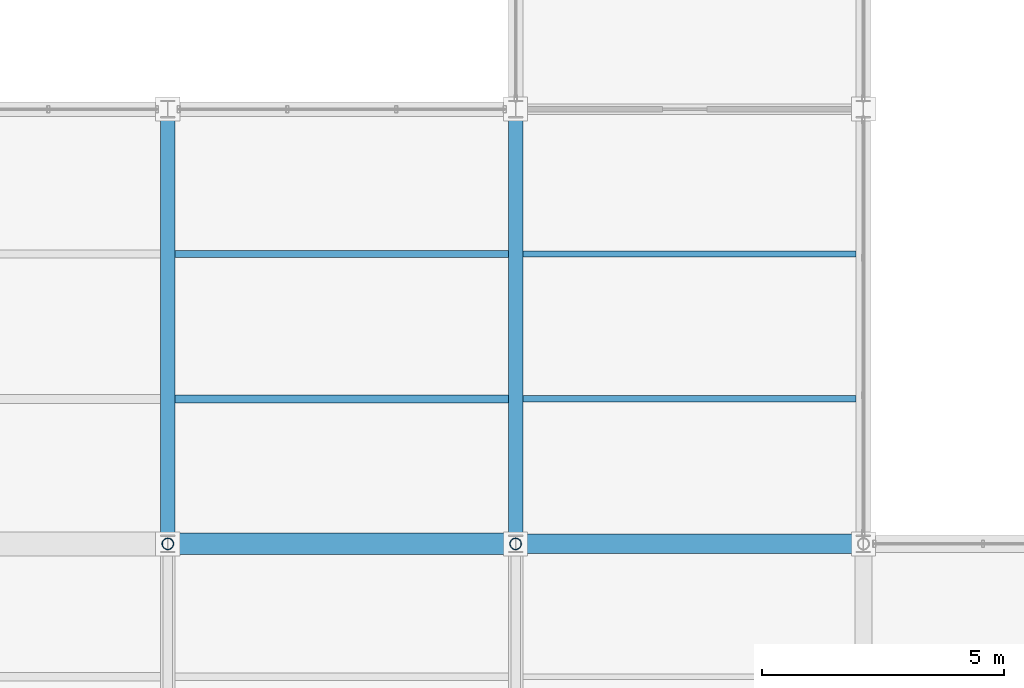
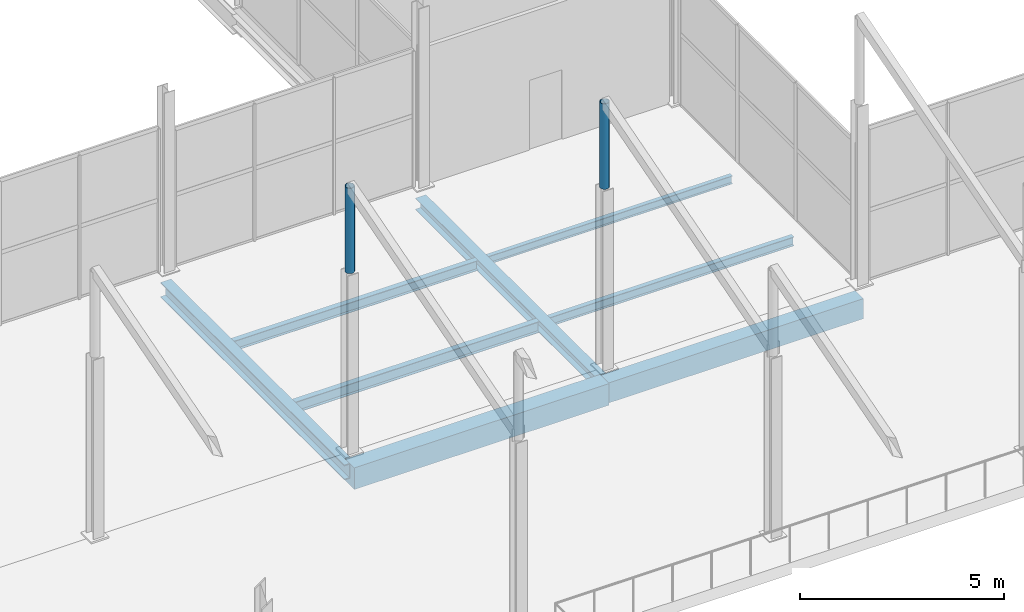
# One storey, part 73 of 141: 8 beams, 2 members.
"""IFC4 building model written with IfcOpenShell, lengths in metres."""

import ifcopenshell
import ifcopenshell.guid

model = None  # the IFC model being written
_history = None  # IfcOwnerHistory: only IFC2X3 demands one
_inside = {}  # id of a spatial element -> (the spatial element, [elements in it])
_under = {}  # id of a project, library or spatial element -> (it, [spatial elements below it])
_declared = {}  # id of a project -> (the project, [libraries it declares])
_typed = {}  # id of a type object -> (the type object, [elements of that type])
_made_of = {}  # id of a material, layer set ... -> (it, [elements and type objects made of it])


def new_model(schema):
    """Start an empty IFC model of exactly this schema.

    Asked for "IFC4X3", IfcOpenShell would pick the latest addendum, in which some entities
    have other attributes; the version numbers below select the first issue.
    IFC2X3 requires an IfcOwnerHistory on every rooted entity: one is made here for all.
    """
    global model, _history
    if schema == "IFC4X3":
        model = ifcopenshell.file(schema_version=(4, 3, 0, 0))
    else:
        model = ifcopenshell.file(schema=schema)
    _inside.clear()
    _under.clear()
    _declared.clear()
    _typed.clear()
    _made_of.clear()
    _history = None
    if model.schema == "IFC2X3":
        org = make("IfcOrganization", Name="unknown")
        user = make(
            "IfcPersonAndOrganization",
            ThePerson=make("IfcPerson", FamilyName="unknown"),
            TheOrganization=org,
        )
        app = make(
            "IfcApplication",
            ApplicationDeveloper=org,
            Version="unknown",
            ApplicationFullName="unknown",
            ApplicationIdentifier="unknown",
        )
        _history = make(
            "IfcOwnerHistory",
            OwningUser=user,
            OwningApplication=app,
            ChangeAction="ADDED",
            CreationDate=0,
        )
    return model


def make(cls, **values):
    """One entity of the class cls with the attributes given. An attribute that is None is left unset."""
    return model.create_entity(
        cls, **{name: value for name, value in values.items() if value is not None}
    )


def rooted(cls, **values):
    """An entity with a GlobalId (a new one), such as an element, a storey or a relation."""
    return make(cls, GlobalId=ifcopenshell.guid.new(), OwnerHistory=_history, **values)


def si_unit(unit_type, name, prefix=None):
    """IfcSIUnit, for example si_unit("LENGTHUNIT", "METRE", prefix="MILLI")."""
    return make("IfcSIUnit", UnitType=unit_type, Prefix=prefix, Name=name)


def assignment(units):
    """IfcUnitAssignment: the units of a project."""
    return None if units is None else make("IfcUnitAssignment", Units=units)


def point(xyz):
    """IfcCartesianPoint."""
    return None if xyz is None else make("IfcCartesianPoint", Coordinates=xyz)


def direction(xyz):
    """IfcDirection."""
    return None if xyz is None else make("IfcDirection", DirectionRatios=xyz)


def frame(location, z_axis=None, x_axis=None):
    """IfcAxis2Placement3D, a coordinate frame: its origin and axes. An axis left out is left unset."""
    return make(
        "IfcAxis2Placement3D",
        Location=point(location),
        Axis=direction(z_axis),
        RefDirection=direction(x_axis),
    )


def frame_2d(location, x_axis=None):
    """IfcAxis2Placement2D, a coordinate frame in the plane: its origin and x axis."""
    return make(
        "IfcAxis2Placement2D", Location=point(location), RefDirection=direction(x_axis)
    )


def origin():
    """The frame at (0, 0, 0) with its axes left unset."""
    return frame((0.0, 0.0, 0.0))


def origin_2d():
    """The frame at (0, 0) in the plane with its x axis left unset."""
    return frame_2d((0.0, 0.0))


def place(relative_to, where):
    """IfcLocalPlacement: puts the frame where relative to a parent placement (None: the world)."""
    return make(
        "IfcLocalPlacement", PlacementRelTo=relative_to, RelativePlacement=where
    )


def context(
    kind, dimensions, precision=None, world=None, true_north=None, identifier=None
):
    """IfcGeometricRepresentationContext, for example the 3D "Model" context."""
    return make(
        "IfcGeometricRepresentationContext",
        ContextIdentifier=identifier,
        ContextType=kind,
        CoordinateSpaceDimension=dimensions,
        Precision=precision,
        WorldCoordinateSystem=world,
        TrueNorth=true_north,
    )


def subcontext(parent, identifier, kind, view, scale=None):
    """IfcGeometricRepresentationSubContext, for example "Body" below "Model"."""
    return make(
        "IfcGeometricRepresentationSubContext",
        ContextIdentifier=identifier,
        ContextType=kind,
        ParentContext=parent,
        TargetScale=scale,
        TargetView=view,
    )


def project(units=None, contexts=None):
    """IfcProject with its units and contexts."""
    return rooted(
        "IfcProject",
        Name="project",
        RepresentationContexts=contexts,
        UnitsInContext=assignment(units),
    )


def spatial(cls, under=None, at=None, **own):
    """A site, building, storey or space (cls), placed at a placement, below another one or the project."""
    s = rooted(cls, ObjectPlacement=at, **own)
    if under is not None:
        _under.setdefault(under.id(), (under, []))[1].append(s)
    return s


def profile(cls, at=None, kind="AREA", **sizes):
    """A parametric profile (cls). Its sizes go by their IFC names, for example OverallWidth=200.0."""
    return make(cls, ProfileType=kind, Position=at, **sizes)


def rectangle(**sizes):
    """IfcRectangleProfileDef."""
    return profile("IfcRectangleProfileDef", **sizes)


def hollow_circle(**sizes):
    """IfcCircleHollowProfileDef."""
    return profile("IfcCircleHollowProfileDef", **sizes)


def i_section(**sizes):
    """IfcIShapeProfileDef."""
    return profile("IfcIShapeProfileDef", **sizes)


def extrude(swept, where, along, depth):
    """IfcExtrudedAreaSolid: the profile swept, set in the frame where, extruded along a direction by depth."""
    return make(
        "IfcExtrudedAreaSolid",
        SweptArea=swept,
        Position=where,
        ExtrudedDirection=direction(along),
        Depth=depth,
    )


def shape(context_of_items, identifier, shape_type, items):
    """IfcShapeRepresentation: the items that make up one representation, for example the "Body"."""
    return make(
        "IfcShapeRepresentation",
        ContextOfItems=context_of_items,
        RepresentationIdentifier=identifier,
        RepresentationType=shape_type,
        Items=items,
    )


def material(Name=None, Category=None):
    """IfcMaterial."""
    return make("IfcMaterial", Name=Name, Category=Category)


def material_profile(
    of_material, cross_section, Name=None, Category=None, Priority=None
):
    """IfcMaterialProfile: a cross section and its material."""
    return make(
        "IfcMaterialProfile",
        Name=Name,
        Material=of_material,
        Profile=cross_section,
        Priority=Priority,
        Category=Category,
    )


def profile_set(profiles, Name=None, composite=None):
    """IfcMaterialProfileSet."""
    return make(
        "IfcMaterialProfileSet",
        Name=Name,
        MaterialProfiles=profiles,
        CompositeProfile=composite,
    )


def made_of(thing, what):
    """Note that an element or type object is made of a material, layer set ...; save() writes the relation."""
    if what is not None:
        _made_of.setdefault(what.id(), (what, []))[1].append(thing)
    return thing


def type_object(cls, material=None, **own):
    """A type object (cls), such as IfcWallType, which elements share."""
    return made_of(rooted(cls, **own), material)


def element(
    cls,
    number,
    at=None,
    inside=None,
    cuts=None,
    type_object=None,
    material=None,
    context=None,
    identifier="Body",
    shape_type=None,
    held_by="IfcProductDefinitionShape",
    body=None,
    shapes=None,
    **own,
):
    """One element of the class cls, such as IfcWall. Its Tag is "e" and its number.

    at: its placement. inside: the storey or other place that contains it. cuts: it is an
    opening in that element (IfcRelVoidsElement). A single representation is given by context,
    identifier, shape_type and body (its items); several are given by shapes. held_by: the class
    of the entity that holds the representations. save() writes the other relations.
    """
    e = rooted(cls, Tag="e%d" % number, ObjectPlacement=at, **own)
    if body is not None:
        shapes = [shape(context, identifier, shape_type, body)]
    if shapes is not None:
        e.Representation = make(held_by, Representations=shapes)
    if inside is not None:
        _inside.setdefault(inside.id(), (inside, []))[1].append(e)
    if cuts is not None:
        rooted(
            "IfcRelVoidsElement", RelatingBuildingElement=cuts, RelatedOpeningElement=e
        )
    if type_object is not None:
        _typed.setdefault(type_object.id(), (type_object, []))[1].append(e)
    return made_of(e, material)


def aggregate(whole, parts):
    """IfcRelAggregates: a whole, such as a stair, and the parts it consists of."""
    return rooted("IfcRelAggregates", RelatingObject=whole, RelatedObjects=parts)


def save(model, path):
    """Write the relations noted so far, then the file.

    IfcRelAggregates (storeys below a building ...), IfcRelContainedInSpatialStructure (elements
    in a storey), IfcRelDefinesByType, IfcRelAssociatesMaterial and IfcRelDeclares: one each for
    every whole, place, type object, material and project.
    """
    for whole, parts in _under.values():
        aggregate(whole, parts)
    for where, things in _inside.values():
        rooted(
            "IfcRelContainedInSpatialStructure",
            RelatedElements=things,
            RelatingStructure=where,
        )
    for kind, things in _typed.values():
        rooted("IfcRelDefinesByType", RelatedObjects=things, RelatingType=kind)
    for what, things in _made_of.values():
        rooted("IfcRelAssociatesMaterial", RelatedObjects=things, RelatingMaterial=what)
    for by, libraries in _declared.values():
        rooted("IfcRelDeclares", RelatingContext=by, RelatedDefinitions=libraries)
    model.write(path)


model = new_model("IFC4")

# Units and contexts
model_context = context("Model", 3, precision=1e-05, world=origin(), true_north=direction((0.0, 1.0)))
body_context = subcontext(model_context, "Body", "Model", "MODEL_VIEW")
ifc_project = project(units=[si_unit("LENGTHUNIT", "METRE"), si_unit("AREAUNIT", "SQUARE_METRE"), si_unit("VOLUMEUNIT", "CUBIC_METRE"), si_unit("PLANEANGLEUNIT", "RADIAN"), si_unit("MASSUNIT", "GRAM", prefix="KILO")], contexts=[model_context])

# Site, building, storey
site_placement = place(None, origin())
site = spatial("IfcSite", under=ifc_project, at=site_placement, CompositionType="ELEMENT")
building_placement = place(site_placement, origin())
building = spatial("IfcBuilding", under=site, at=building_placement, Name="Sundgate Opera House", CompositionType="ELEMENT")
storey_placement = place(building_placement, frame((0.0, 0.0, 11.39990234375)))
storey = spatial("IfcBuildingStorey", under=building, at=storey_placement, Name="L02", CompositionType="ELEMENT", Elevation=11.39990234375)

# Beams
ifc_material_1 = material(Name="Steel S355J2", Category="steel")
ifc_material_profile_1 = material_profile(ifc_material_1, i_section(OverallWidth=0.300048828125, OverallDepth=0.35009765625, WebThickness=0.010009765625, FlangeThickness=0.017578125, at=origin_2d()), Name="HEA 360")
ifc_profile_set_1 = profile_set([ifc_material_profile_1], Name="Steel S355J2")
beam_type_1 = type_object("IfcBeamType", Name="BM-GR-HEA360", PredefinedType="BEAM", material=ifc_profile_set_1)
beam_1_placement = place(storey_placement, frame((138.60009765625, 33.0, -0.52490234375), z_axis=(0.0, 1.0, 0.0), x_axis=(-1.0, 0.0, 0.0)))
element("IfcBeam", 1, at=beam_1_placement, inside=storey, type_object=beam_type_1, Name="L02 Primary N-S Girder B1913", PredefinedType="BEAM", context=body_context, shape_type="SweptSolid", body=[
    extrude(i_section(OverallWidth=0.300048828125, OverallDepth=0.35009765625, WebThickness=0.010009765625, FlangeThickness=0.017578125, at=origin_2d()), origin(), (0.0, 0.0, 1.0), 9.0),
])
ifc_material_2 = material(Name="Steel S355J2", Category="steel")
ifc_material_profile_2 = material_profile(ifc_material_2, i_section(OverallWidth=0.300048828125, OverallDepth=0.449951171875, WebThickness=0.013916015625, FlangeThickness=0.02587890625, at=origin_2d()), Name="HEB 450")
ifc_profile_set_2 = profile_set([ifc_material_profile_2], Name="Steel S355J2")
beam_type_2 = type_object("IfcBeamType", Name="BM-GR-HEB450", PredefinedType="BEAM", material=ifc_profile_set_2)
beam_2_placement = place(storey_placement, frame((131.39990234375, 33.0, -0.574951171875), z_axis=(0.0, 1.0, 0.0), x_axis=(-1.0, 0.0, 0.0)))
element("IfcBeam", 2, at=beam_2_placement, inside=storey, type_object=beam_type_2, Name="L02 Primary N-S Girder B1906", PredefinedType="BEAM", context=body_context, shape_type="SweptSolid", body=[
    extrude(i_section(OverallWidth=0.300048828125, OverallDepth=0.449951171875, WebThickness=0.013916015625, FlangeThickness=0.02587890625, at=origin_2d()), origin(), (0.0, 0.0, 1.0), 9.0),
])
ifc_material_3 = material(Name="Steel S355J2", Category="steel")
ifc_material_profile_3 = material_profile(ifc_material_3, i_section(OverallWidth=0.1201171875, OverallDepth=0.239990234375, WebThickness=0.006103515625, FlangeThickness=0.009765625, at=origin_2d()), Name="IPE 240")
ifc_profile_set_3 = profile_set([ifc_material_profile_3], Name="Steel S355J2")
beam_type_3 = type_object("IfcBeamType", Name="BM-JS-IPE240", PredefinedType="JOIST", material=ifc_profile_set_3)
beam_3_placement = place(storey_placement, frame((138.75, 39.0, -0.469970703125), z_axis=(1.0, 0.0, 0.0), x_axis=(0.0, 1.0, 0.0)))
element("IfcBeam", 3, at=beam_3_placement, inside=storey, type_object=beam_type_3, Name="L02 Secondary Floor Joist B2226", PredefinedType="JOIST", context=body_context, shape_type="SweptSolid", body=[
    extrude(i_section(OverallWidth=0.1201171875, OverallDepth=0.239990234375, WebThickness=0.006103515625, FlangeThickness=0.009765625, at=origin_2d()), origin(), (0.0, 0.0, 1.0), 6.89990234375),
])
ifc_material_4 = material(Name="Steel S355J2", Category="steel")
ifc_material_profile_4 = material_profile(ifc_material_4, i_section(OverallWidth=0.135009765625, OverallDepth=0.27001953125, WebThickness=0.006591796875, FlangeThickness=0.01025390625, at=origin_2d()), Name="IPE 270")
ifc_profile_set_4 = profile_set([ifc_material_profile_4], Name="Steel S355J2")
beam_type_4 = type_object("IfcBeamType", Name="BM-JS-IPE270", PredefinedType="JOIST", material=ifc_profile_set_4)
beam_4_placement = place(storey_placement, frame((138.75, 36.0, -0.48486328125), z_axis=(1.0, 0.0, 0.0), x_axis=(0.0, 1.0, 0.0)))
element("IfcBeam", 4, at=beam_4_placement, inside=storey, type_object=beam_type_4, Name="L02 Secondary Floor Joist B2225", PredefinedType="JOIST", context=body_context, shape_type="SweptSolid", body=[
    extrude(i_section(OverallWidth=0.135009765625, OverallDepth=0.27001953125, WebThickness=0.006591796875, FlangeThickness=0.01025390625, at=origin_2d()), origin(), (0.0, 0.0, 1.0), 6.89990234375),
])
ifc_material_5 = material(Name="Steel S355J2", Category="steel")
ifc_material_profile_5 = material_profile(ifc_material_5, i_section(OverallWidth=0.14990234375, OverallDepth=0.300048828125, WebThickness=0.007080078125, FlangeThickness=0.0107421875, at=origin_2d()), Name="IPE 300")
ifc_profile_set_5 = profile_set([ifc_material_profile_5], Name="Steel S355J2")
beam_type_5 = type_object("IfcBeamType", Name="BM-JS-IPE300", PredefinedType="JOIST", material=ifc_profile_set_5)
beam_5_placement = place(storey_placement, frame((131.550048828125, 39.0, -0.5), z_axis=(1.0, 0.0, 0.0), x_axis=(0.0, 1.0, 0.0)))
element("IfcBeam", 5, at=beam_5_placement, inside=storey, type_object=beam_type_5, Name="L02 Secondary Floor Joist B2224", PredefinedType="JOIST", context=body_context, shape_type="SweptSolid", body=[
    extrude(i_section(OverallWidth=0.14990234375, OverallDepth=0.300048828125, WebThickness=0.007080078125, FlangeThickness=0.0107421875, at=origin_2d()), origin(), (0.0, 0.0, 1.0), 6.89990234375),
])
ifc_material_6 = material(Name="Steel S355J2", Category="steel")
ifc_material_profile_6 = material_profile(ifc_material_6, i_section(OverallWidth=0.159912109375, OverallDepth=0.330078125, WebThickness=0.007568359375, FlangeThickness=0.011474609375, at=origin_2d()), Name="IPE 330")
ifc_profile_set_6 = profile_set([ifc_material_profile_6], Name="Steel S355J2")
beam_type_6 = type_object("IfcBeamType", Name="BM-JS-IPE330", PredefinedType="JOIST", material=ifc_profile_set_6)
beam_6_placement = place(storey_placement, frame((131.550048828125, 36.0, -0.514892578125), z_axis=(1.0, 0.0, 0.0), x_axis=(0.0, 1.0, 0.0)))
element("IfcBeam", 6, at=beam_6_placement, inside=storey, type_object=beam_type_6, Name="L02 Secondary Floor Joist B2223", PredefinedType="JOIST", context=body_context, shape_type="SweptSolid", body=[
    extrude(i_section(OverallWidth=0.159912109375, OverallDepth=0.330078125, WebThickness=0.007568359375, FlangeThickness=0.011474609375, at=origin_2d()), origin(), (0.0, 0.0, 1.0), 6.89990234375),
])
ifc_material_7 = material(Name="Concrete C35/45", Category="concrete")
ifc_material_profile_7 = material_profile(ifc_material_7, rectangle(XDim=0.39990234375, YDim=0.60009765625, at=origin_2d()), Name="RC 400x600")
ifc_profile_set_7 = profile_set([ifc_material_profile_7], Name="Concrete C35/45")
beam_type_7 = type_object("IfcBeamType", Name="BM-RC-400x600", PredefinedType="BEAM", material=ifc_profile_set_7)
beam_7_placement = place(storey_placement, frame((138.60009765625, 33.0, -0.64990234375), z_axis=(1.0, 0.0, 0.0), x_axis=(0.0, 1.0, 0.0)))
element("IfcBeam", 7, at=beam_7_placement, inside=storey, type_object=beam_type_7, Name="L02 Primary E-W Girder B2003", PredefinedType="BEAM", context=body_context, shape_type="SweptSolid", body=[
    extrude(rectangle(XDim=0.39990234375, YDim=0.60009765625, at=origin_2d()), origin(), (0.0, 0.0, 1.0), 7.199951171875),
])
ifc_material_8 = material(Name="Concrete C35/45", Category="concrete")
ifc_material_profile_8 = material_profile(ifc_material_8, rectangle(XDim=0.449951171875, YDim=0.64990234375, at=origin_2d()), Name="RC 450x650")
ifc_profile_set_8 = profile_set([ifc_material_profile_8], Name="Concrete C35/45")
beam_type_8 = type_object("IfcBeamType", Name="BM-RC-450x650", PredefinedType="BEAM", material=ifc_profile_set_8)
beam_8_placement = place(storey_placement, frame((131.39990234375, 33.0, -0.6748046875), z_axis=(1.0, 0.0, 0.0), x_axis=(0.0, 1.0, 0.0)))
element("IfcBeam", 8, at=beam_8_placement, inside=storey, type_object=beam_type_8, Name="L02 Primary E-W Girder B2002", PredefinedType="BEAM", context=body_context, shape_type="SweptSolid", body=[
    extrude(rectangle(XDim=0.449951171875, YDim=0.64990234375, at=origin_2d()), origin(), (0.0, 0.0, 1.0), 7.2001953125),
])

# Members
ifc_material_9 = material(Name="Steel S355J2", Category="steel")
ifc_material_profile_9 = material_profile(ifc_material_9, hollow_circle(Radius=0.122314453125, WallThickness=0.012451171875, at=origin_2d()), Name="CHS 244.5x12.5")
ifc_profile_set_9 = profile_set([ifc_material_profile_9], Name="Steel S355J2")
member_type = type_object("IfcMemberType", Name="MB-STRUT-CHS244", PredefinedType="STRUT", material=ifc_profile_set_9)
for number, where, z_axis, x_axis, name in (
    (9, (131.39990234375, 33.0, 5.400146484375), (0.0, 0.0, 1.0), (1.0, 0.0, 0.0), "L02 Sawtooth Northlight Post M0428"),
    (10, (138.60009765625, 33.0, 5.400146484375), (0.0, 0.0, 1.0), (1.0, 0.0, 0.0), "L02 Sawtooth Northlight Post M0430"),
):
    element("IfcMember", number, at=place(storey_placement, frame(where, z_axis=z_axis, x_axis=x_axis)), inside=storey, type_object=member_type, Name=name, PredefinedType="STRUT", context=body_context, shape_type="SweptSolid", body=[
        extrude(hollow_circle(Radius=0.122314453125, WallThickness=0.012451171875, at=origin_2d()), origin(), (0.0, 0.0, 1.0), 2.550048828125),
    ])

save(model, "model.ifc")
